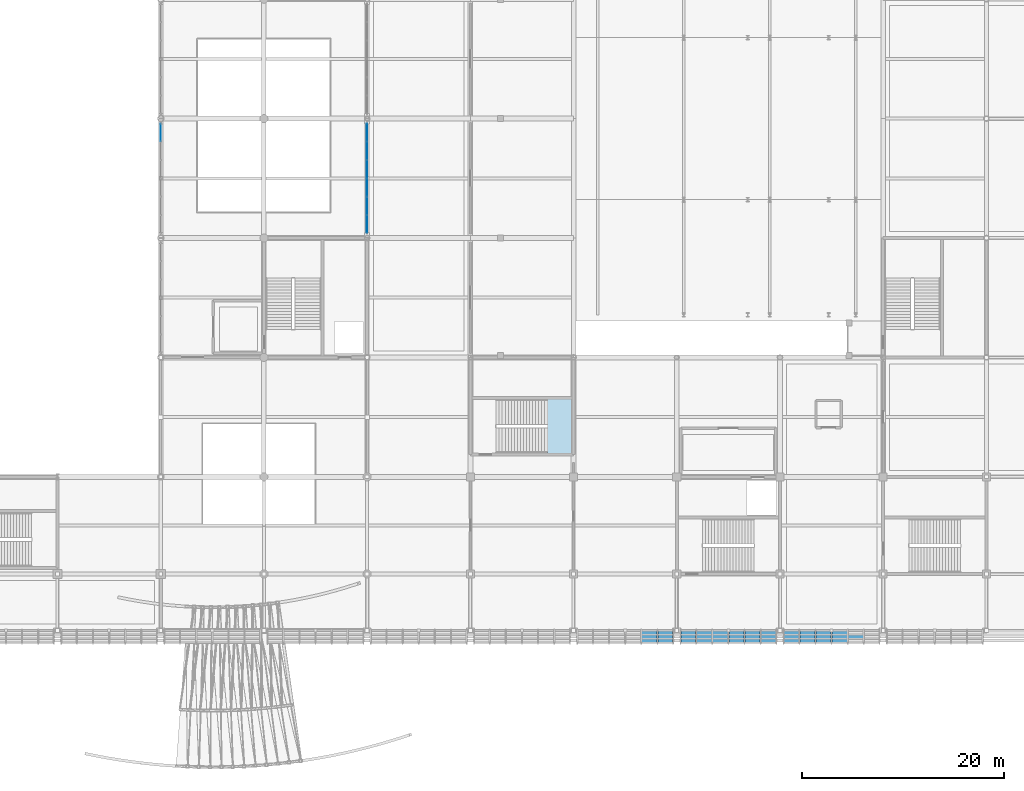
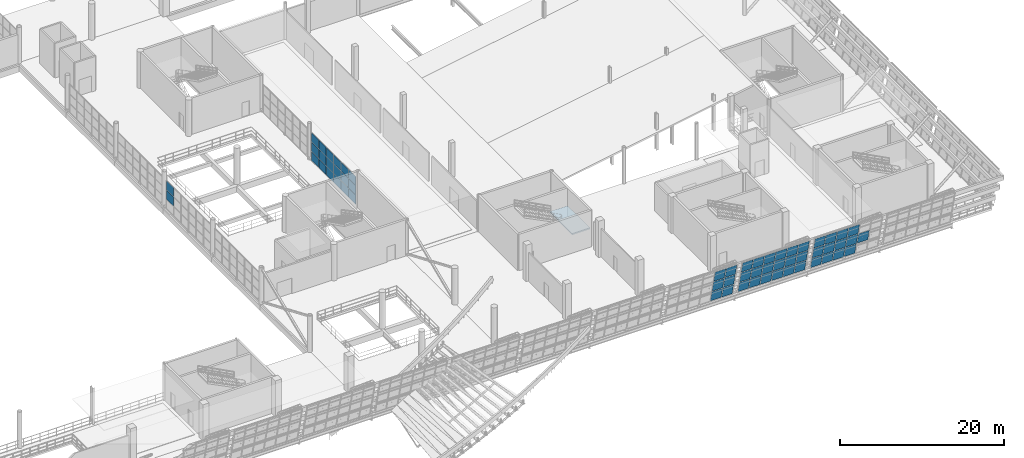
# One storey, part 114 of 175: 57 plates, 1 slab, 6 elements without a shape of their own.
"""IFC4 building model written with IfcOpenShell, lengths in metres."""

import ifcopenshell
import ifcopenshell.guid

model = None  # the IFC model being written
_history = None  # IfcOwnerHistory: only IFC2X3 demands one
_inside = {}  # id of a spatial element -> (the spatial element, [elements in it])
_under = {}  # id of a project, library or spatial element -> (it, [spatial elements below it])
_declared = {}  # id of a project -> (the project, [libraries it declares])
_typed = {}  # id of a type object -> (the type object, [elements of that type])
_made_of = {}  # id of a material, layer set ... -> (it, [elements and type objects made of it])


def new_model(schema):
    """Start an empty IFC model of exactly this schema.

    Asked for "IFC4X3", IfcOpenShell would pick the latest addendum, in which some entities
    have other attributes; the version numbers below select the first issue.
    IFC2X3 requires an IfcOwnerHistory on every rooted entity: one is made here for all.
    """
    global model, _history
    if schema == "IFC4X3":
        model = ifcopenshell.file(schema_version=(4, 3, 0, 0))
    else:
        model = ifcopenshell.file(schema=schema)
    _inside.clear()
    _under.clear()
    _declared.clear()
    _typed.clear()
    _made_of.clear()
    _history = None
    if model.schema == "IFC2X3":
        org = make("IfcOrganization", Name="unknown")
        user = make(
            "IfcPersonAndOrganization",
            ThePerson=make("IfcPerson", FamilyName="unknown"),
            TheOrganization=org,
        )
        app = make(
            "IfcApplication",
            ApplicationDeveloper=org,
            Version="unknown",
            ApplicationFullName="unknown",
            ApplicationIdentifier="unknown",
        )
        _history = make(
            "IfcOwnerHistory",
            OwningUser=user,
            OwningApplication=app,
            ChangeAction="ADDED",
            CreationDate=0,
        )
    return model


def make(cls, **values):
    """One entity of the class cls with the attributes given. An attribute that is None is left unset."""
    return model.create_entity(
        cls, **{name: value for name, value in values.items() if value is not None}
    )


def rooted(cls, **values):
    """An entity with a GlobalId (a new one), such as an element, a storey or a relation."""
    return make(cls, GlobalId=ifcopenshell.guid.new(), OwnerHistory=_history, **values)


def si_unit(unit_type, name, prefix=None):
    """IfcSIUnit, for example si_unit("LENGTHUNIT", "METRE", prefix="MILLI")."""
    return make("IfcSIUnit", UnitType=unit_type, Prefix=prefix, Name=name)


def assignment(units):
    """IfcUnitAssignment: the units of a project."""
    return None if units is None else make("IfcUnitAssignment", Units=units)


def point(xyz):
    """IfcCartesianPoint."""
    return None if xyz is None else make("IfcCartesianPoint", Coordinates=xyz)


def direction(xyz):
    """IfcDirection."""
    return None if xyz is None else make("IfcDirection", DirectionRatios=xyz)


def frame(location, z_axis=None, x_axis=None):
    """IfcAxis2Placement3D, a coordinate frame: its origin and axes. An axis left out is left unset."""
    return make(
        "IfcAxis2Placement3D",
        Location=point(location),
        Axis=direction(z_axis),
        RefDirection=direction(x_axis),
    )


def frame_2d(location, x_axis=None):
    """IfcAxis2Placement2D, a coordinate frame in the plane: its origin and x axis."""
    return make(
        "IfcAxis2Placement2D", Location=point(location), RefDirection=direction(x_axis)
    )


def origin():
    """The frame at (0, 0, 0) with its axes left unset."""
    return frame((0.0, 0.0, 0.0))


def origin_2d():
    """The frame at (0, 0) in the plane with its x axis left unset."""
    return frame_2d((0.0, 0.0))


def place(relative_to, where):
    """IfcLocalPlacement: puts the frame where relative to a parent placement (None: the world)."""
    return make(
        "IfcLocalPlacement", PlacementRelTo=relative_to, RelativePlacement=where
    )


def context(
    kind, dimensions, precision=None, world=None, true_north=None, identifier=None
):
    """IfcGeometricRepresentationContext, for example the 3D "Model" context."""
    return make(
        "IfcGeometricRepresentationContext",
        ContextIdentifier=identifier,
        ContextType=kind,
        CoordinateSpaceDimension=dimensions,
        Precision=precision,
        WorldCoordinateSystem=world,
        TrueNorth=true_north,
    )


def subcontext(parent, identifier, kind, view, scale=None):
    """IfcGeometricRepresentationSubContext, for example "Body" below "Model"."""
    return make(
        "IfcGeometricRepresentationSubContext",
        ContextIdentifier=identifier,
        ContextType=kind,
        ParentContext=parent,
        TargetScale=scale,
        TargetView=view,
    )


def project(units=None, contexts=None):
    """IfcProject with its units and contexts."""
    return rooted(
        "IfcProject",
        Name="project",
        RepresentationContexts=contexts,
        UnitsInContext=assignment(units),
    )


def spatial(cls, under=None, at=None, **own):
    """A site, building, storey or space (cls), placed at a placement, below another one or the project."""
    s = rooted(cls, ObjectPlacement=at, **own)
    if under is not None:
        _under.setdefault(under.id(), (under, []))[1].append(s)
    return s


def polyline(points):
    """IfcPolyline through the points."""
    return make("IfcPolyline", Points=[point(p) for p in points])


def profile(cls, at=None, kind="AREA", **sizes):
    """A parametric profile (cls). Its sizes go by their IFC names, for example OverallWidth=200.0."""
    return make(cls, ProfileType=kind, Position=at, **sizes)


def rectangle(**sizes):
    """IfcRectangleProfileDef."""
    return profile("IfcRectangleProfileDef", **sizes)


def outline(outer, holes=None, kind="AREA"):
    """IfcArbitraryClosedProfileDef: a profile drawn as a closed curve; with holes, ...WithVoids."""
    if holes is None:
        return make("IfcArbitraryClosedProfileDef", ProfileType=kind, OuterCurve=outer)
    return make(
        "IfcArbitraryProfileDefWithVoids",
        ProfileType=kind,
        OuterCurve=outer,
        InnerCurves=holes,
    )


def extrude(swept, where, along, depth):
    """IfcExtrudedAreaSolid: the profile swept, set in the frame where, extruded along a direction by depth."""
    return make(
        "IfcExtrudedAreaSolid",
        SweptArea=swept,
        Position=where,
        ExtrudedDirection=direction(along),
        Depth=depth,
    )


def shape(context_of_items, identifier, shape_type, items):
    """IfcShapeRepresentation: the items that make up one representation, for example the "Body"."""
    return make(
        "IfcShapeRepresentation",
        ContextOfItems=context_of_items,
        RepresentationIdentifier=identifier,
        RepresentationType=shape_type,
        Items=items,
    )


def material(Name=None, Category=None):
    """IfcMaterial."""
    return make("IfcMaterial", Name=Name, Category=Category)


def layer(
    of_material, thickness, ventilated=None, Name=None, Category=None, Priority=None
):
    """IfcMaterialLayer: one layer of a wall or slab, of a material (None: an air gap)."""
    return make(
        "IfcMaterialLayer",
        Material=of_material,
        LayerThickness=thickness,
        IsVentilated=ventilated,
        Name=Name,
        Category=Category,
        Priority=Priority,
    )


def layer_set(layers, Name=None):
    """IfcMaterialLayerSet."""
    return make("IfcMaterialLayerSet", MaterialLayers=layers, LayerSetName=Name)


def made_of(thing, what):
    """Note that an element or type object is made of a material, layer set ...; save() writes the relation."""
    if what is not None:
        _made_of.setdefault(what.id(), (what, []))[1].append(thing)
    return thing


def type_object(cls, material=None, **own):
    """A type object (cls), such as IfcWallType, which elements share."""
    return made_of(rooted(cls, **own), material)


def element(
    cls,
    number,
    at=None,
    inside=None,
    cuts=None,
    type_object=None,
    material=None,
    context=None,
    identifier="Body",
    shape_type=None,
    held_by="IfcProductDefinitionShape",
    body=None,
    shapes=None,
    **own,
):
    """One element of the class cls, such as IfcWall. Its Tag is "e" and its number.

    at: its placement. inside: the storey or other place that contains it. cuts: it is an
    opening in that element (IfcRelVoidsElement). A single representation is given by context,
    identifier, shape_type and body (its items); several are given by shapes. held_by: the class
    of the entity that holds the representations. save() writes the other relations.
    """
    e = rooted(cls, Tag="e%d" % number, ObjectPlacement=at, **own)
    if body is not None:
        shapes = [shape(context, identifier, shape_type, body)]
    if shapes is not None:
        e.Representation = make(held_by, Representations=shapes)
    if inside is not None:
        _inside.setdefault(inside.id(), (inside, []))[1].append(e)
    if cuts is not None:
        rooted(
            "IfcRelVoidsElement", RelatingBuildingElement=cuts, RelatedOpeningElement=e
        )
    if type_object is not None:
        _typed.setdefault(type_object.id(), (type_object, []))[1].append(e)
    return made_of(e, material)


def aggregate(whole, parts):
    """IfcRelAggregates: a whole, such as a stair, and the parts it consists of."""
    return rooted("IfcRelAggregates", RelatingObject=whole, RelatedObjects=parts)


def save(model, path):
    """Write the relations noted so far, then the file.

    IfcRelAggregates (storeys below a building ...), IfcRelContainedInSpatialStructure (elements
    in a storey), IfcRelDefinesByType, IfcRelAssociatesMaterial and IfcRelDeclares: one each for
    every whole, place, type object, material and project.
    """
    for whole, parts in _under.values():
        aggregate(whole, parts)
    for where, things in _inside.values():
        rooted(
            "IfcRelContainedInSpatialStructure",
            RelatedElements=things,
            RelatingStructure=where,
        )
    for kind, things in _typed.values():
        rooted("IfcRelDefinesByType", RelatedObjects=things, RelatingType=kind)
    for what, things in _made_of.values():
        rooted("IfcRelAssociatesMaterial", RelatedObjects=things, RelatingMaterial=what)
    for by, libraries in _declared.values():
        rooted("IfcRelDeclares", RelatingContext=by, RelatedDefinitions=libraries)
    model.write(path)


model = new_model("IFC4")

# Units and contexts
model_context = context("Model", 3, precision=1e-05, world=origin(), true_north=direction((0.0, 1.0)))
body_context = subcontext(model_context, "Body", "Model", "MODEL_VIEW")
ifc_project = project(units=[si_unit("LENGTHUNIT", "METRE"), si_unit("AREAUNIT", "SQUARE_METRE"), si_unit("VOLUMEUNIT", "CUBIC_METRE"), si_unit("PLANEANGLEUNIT", "RADIAN"), si_unit("MASSUNIT", "GRAM", prefix="KILO")], contexts=[model_context])

# Site, building, storey
site_placement = place(None, origin())
site = spatial("IfcSite", under=ifc_project, at=site_placement, CompositionType="ELEMENT")
building_placement = place(site_placement, origin())
building = spatial("IfcBuilding", under=site, at=building_placement, Name="Brelvane Convention Centre", CompositionType="ELEMENT")
storey_placement = place(building_placement, frame((0.0, 0.0, 5.39990234375)))
storey = spatial("IfcBuildingStorey", under=building, at=storey_placement, Name="L01", CompositionType="ELEMENT", Elevation=5.39990234375)

# Curtain wall, plates
ifc_material_1 = material(Name="Anodised Aluminium Alloy 6063-T6", Category="aluminium")
curtain_wall_type_1 = type_object("IfcCurtainWallType", Name="Curtain Wall CW-HULL-S", PredefinedType="USERDEFINED", material=ifc_material_1)
curtain_wall_1_placement = place(storey_placement, origin())
curtain_wall_1 = element("IfcCurtainWall", 1, at=curtain_wall_1_placement, inside=storey, type_object=curtain_wall_type_1, Name="Curtain Wall CW-HULL-S L01-HULL-S-L01-19", ObjectType="UNITISED", PredefinedType="USERDEFINED")
ifc_material_2 = material(Name="Double Glazed Low-E Laminated Unit")
ifc_layer_1 = layer(ifc_material_2, 0.031982421875)
ifc_layer_set_1 = layer_set([ifc_layer_1], Name="Double Glazed Low-E Laminated Unit")
plate_type_1 = type_object("IfcPlateType", Name="Curtain Panel CW-PG1", PredefinedType="CURTAIN_PANEL", material=ifc_layer_set_1)
plate_1_placement = place(storey_placement, frame((190.333251953125, 13.18798828125, 1.7568359375), z_axis=(0.0, 0.973584535906, 0.228326852222), x_axis=(1.0, 0.0, 0.0)))
plate_1 = element("IfcPlate", 2, at=plate_1_placement, type_object=plate_type_1, Name="CW-HULL-S panel 5.2", PredefinedType="CURTAIN_PANEL", context=body_context, shape_type="SweptSolid", body=[
    extrude(outline(polyline([(0.0, 0.0), (1.513427734375, 0.0), (1.513427734375, -1.680875721647406), (0.0, -1.680875721647406), (0.0, 0.0)])), origin(), (0.0, 0.0, -1.0), 0.031982421875),
])
plate_2_placement = place(storey_placement, frame((190.333251953125, 12.785400390625, 3.473388671875), z_axis=(0.0, 0.973577021422, 0.228358891569), x_axis=(1.0, 0.0, 0.0)))
plate_2 = element("IfcPlate", 3, at=plate_2_placement, type_object=plate_type_1, Name="CW-HULL-S panel 5.3", PredefinedType="CURTAIN_PANEL", context=body_context, shape_type="SweptSolid", body=[
    extrude(outline(polyline([(0.0, 0.0), (1.513427734375, 0.0), (1.513427734375, -1.6400137352949753), (0.0, -1.6400137352949753), (0.0, 0.0)])), origin(), (0.0, 0.0, -1.0), 0.031982421875),
])
plate_3_placement = place(storey_placement, frame((191.9267578125, 13.18798828125, 1.7568359375), z_axis=(0.0, 0.973584535906, 0.228326852222), x_axis=(1.0, 0.0, 0.0)))
plate_3 = element("IfcPlate", 4, at=plate_3_placement, type_object=plate_type_1, Name="CW-HULL-S panel 6.2", PredefinedType="CURTAIN_PANEL", context=body_context, shape_type="SweptSolid", body=[
    extrude(outline(polyline([(0.0, 0.0), (1.47314453125, 0.0), (1.47314453125, -1.680875721647406), (0.0, -1.680875721647406), (0.0, 0.0)])), origin(), (0.0, 0.0, -1.0), 0.031982421875),
])
plate_4_placement = place(storey_placement, frame((191.9267578125, 12.785400390625, 3.473388671875), z_axis=(0.0, 0.973577021422, 0.228358891569), x_axis=(1.0, 0.0, 0.0)))
plate_4 = element("IfcPlate", 5, at=plate_4_placement, type_object=plate_type_1, Name="CW-HULL-S panel 6.3", PredefinedType="CURTAIN_PANEL", context=body_context, shape_type="SweptSolid", body=[
    extrude(outline(polyline([(0.0, 0.0), (1.47314453125, 0.0), (1.47314453125, -1.6400137352949753), (0.0, -1.6400137352949753), (0.0, 0.0)])), origin(), (0.0, 0.0, -1.0), 0.031982421875),
])

curtain_wall_2_placement = place(storey_placement, origin())
curtain_wall_2 = element("IfcCurtainWall", 6, at=curtain_wall_2_placement, inside=storey, type_object=curtain_wall_type_1, Name="Curtain Wall CW-HULL-S L01-HULL-S-L01-20", ObjectType="UNITISED", PredefinedType="USERDEFINED")
plate_5_placement = place(storey_placement, frame((194.199951171875, 13.18798828125, 1.7568359375), z_axis=(0.0, 0.973584535906, 0.228326852222), x_axis=(1.0, 0.0, 0.0)))
plate_5 = element("IfcPlate", 7, at=plate_5_placement, type_object=plate_type_1, Name="CW-HULL-S panel 1.2", PredefinedType="CURTAIN_PANEL", context=body_context, shape_type="SweptSolid", body=[
    extrude(outline(polyline([(0.0, 0.0), (1.473388671875, 0.0), (1.473388671875, -1.680875721647406), (0.0, -1.680875721647406), (0.0, 0.0)])), origin(), (0.0, 0.0, -1.0), 0.031982421875),
])
plate_6_placement = place(storey_placement, frame((194.199951171875, 12.785400390625, 3.473388671875), z_axis=(0.0, 0.973577021422, 0.228358891569), x_axis=(1.0, 0.0, 0.0)))
plate_6 = element("IfcPlate", 8, at=plate_6_placement, type_object=plate_type_1, Name="CW-HULL-S panel 1.3", PredefinedType="CURTAIN_PANEL", context=body_context, shape_type="SweptSolid", body=[
    extrude(outline(polyline([(0.0, 0.0), (1.473388671875, 0.0), (1.473388671875, -1.640013735294975), (0.0, -1.640013735294975), (0.0, 0.0)])), origin(), (0.0, 0.0, -1.0), 0.031982421875),
])
plate_7_placement = place(storey_placement, frame((195.75341796875, 13.18798828125, 1.7568359375), z_axis=(0.0, 0.973584535906, 0.228326852222), x_axis=(1.0, 0.0, 0.0)))
plate_7 = element("IfcPlate", 9, at=plate_7_placement, type_object=plate_type_1, Name="CW-HULL-S panel 2.2", PredefinedType="CURTAIN_PANEL", context=body_context, shape_type="SweptSolid", body=[
    extrude(outline(polyline([(0.0, 0.0), (1.51318359375, 0.0), (1.51318359375, -1.680875721647406), (0.0, -1.680875721647406), (0.0, 0.0)])), origin(), (0.0, 0.0, -1.0), 0.031982421875),
])
plate_8_placement = place(storey_placement, frame((195.75341796875, 12.785400390625, 3.473388671875), z_axis=(0.0, 0.973577021422, 0.228358891569), x_axis=(1.0, 0.0, 0.0)))
plate_8 = element("IfcPlate", 10, at=plate_8_placement, type_object=plate_type_1, Name="CW-HULL-S panel 2.3", PredefinedType="CURTAIN_PANEL", context=body_context, shape_type="SweptSolid", body=[
    extrude(outline(polyline([(0.0, 0.0), (1.51318359375, 0.0), (1.51318359375, -1.640013735294975), (0.0, -1.640013735294975), (0.0, 0.0)])), origin(), (0.0, 0.0, -1.0), 0.031982421875),
])
plate_9_placement = place(storey_placement, frame((197.3466796875, 13.18798828125, 1.7568359375), z_axis=(0.0, 0.973584535906, 0.228326852222), x_axis=(1.0, 0.0, 0.0)))
plate_9 = element("IfcPlate", 11, at=plate_9_placement, type_object=plate_type_1, Name="CW-HULL-S panel 3.2", PredefinedType="CURTAIN_PANEL", context=body_context, shape_type="SweptSolid", body=[
    extrude(outline(polyline([(0.0, 0.0), (1.513427734375, 0.0), (1.513427734375, -1.680875721647406), (0.0, -1.680875721647406), (0.0, 0.0)])), origin(), (0.0, 0.0, -1.0), 0.031982421875),
])
plate_10_placement = place(storey_placement, frame((197.3466796875, 12.785400390625, 3.473388671875), z_axis=(0.0, 0.973577021422, 0.228358891569), x_axis=(1.0, 0.0, 0.0)))
plate_10 = element("IfcPlate", 12, at=plate_10_placement, type_object=plate_type_1, Name="CW-HULL-S panel 3.3", PredefinedType="CURTAIN_PANEL", context=body_context, shape_type="SweptSolid", body=[
    extrude(outline(polyline([(0.0, 0.0), (1.513427734375, 0.0), (1.513427734375, -1.6400137352949753), (0.0, -1.6400137352949753), (0.0, 0.0)])), origin(), (0.0, 0.0, -1.0), 0.031982421875),
])
plate_11_placement = place(storey_placement, frame((198.93994140625, 13.18798828125, 1.7568359375), z_axis=(0.0, 0.973584535906, 0.228326852222), x_axis=(1.0, 0.0, 0.0)))
plate_11 = element("IfcPlate", 13, at=plate_11_placement, type_object=plate_type_1, Name="CW-HULL-S panel 4.2", PredefinedType="CURTAIN_PANEL", context=body_context, shape_type="SweptSolid", body=[
    extrude(outline(polyline([(0.0, 0.0), (1.513427734375, 0.0), (1.513427734375, -1.680875721647406), (0.0, -1.680875721647406), (0.0, 0.0)])), origin(), (0.0, 0.0, -1.0), 0.031982421875),
])
plate_12_placement = place(storey_placement, frame((198.93994140625, 12.785400390625, 3.473388671875), z_axis=(0.0, 0.973577021422, 0.228358891569), x_axis=(1.0, 0.0, 0.0)))
plate_12 = element("IfcPlate", 14, at=plate_12_placement, type_object=plate_type_1, Name="CW-HULL-S panel 4.3", PredefinedType="CURTAIN_PANEL", context=body_context, shape_type="SweptSolid", body=[
    extrude(outline(polyline([(0.0, 0.0), (1.513427734375, 0.0), (1.513427734375, -1.6400137352949753), (0.0, -1.6400137352949753), (0.0, 0.0)])), origin(), (0.0, 0.0, -1.0), 0.031982421875),
])
plate_13_placement = place(storey_placement, frame((200.533447265625, 13.18798828125, 1.7568359375), z_axis=(0.0, 0.973584535906, 0.228326852222), x_axis=(1.0, 0.0, 0.0)))
plate_13 = element("IfcPlate", 15, at=plate_13_placement, type_object=plate_type_1, Name="CW-HULL-S panel 5.2", PredefinedType="CURTAIN_PANEL", context=body_context, shape_type="SweptSolid", body=[
    extrude(outline(polyline([(0.0, 0.0), (1.51318359375, 0.0), (1.51318359375, -1.680875721647406), (0.0, -1.680875721647406), (0.0, 0.0)])), origin(), (0.0, 0.0, -1.0), 0.031982421875),
])
plate_14_placement = place(storey_placement, frame((200.533447265625, 12.785400390625, 3.473388671875), z_axis=(0.0, 0.973577021422, 0.228358891569), x_axis=(1.0, 0.0, 0.0)))
plate_14 = element("IfcPlate", 16, at=plate_14_placement, type_object=plate_type_1, Name="CW-HULL-S panel 5.3", PredefinedType="CURTAIN_PANEL", context=body_context, shape_type="SweptSolid", body=[
    extrude(outline(polyline([(0.0, 0.0), (1.51318359375, 0.0), (1.51318359375, -1.640013735294975), (0.0, -1.640013735294975), (0.0, 0.0)])), origin(), (0.0, 0.0, -1.0), 0.031982421875),
])
plate_15_placement = place(storey_placement, frame((202.126708984375, 13.18798828125, 1.7568359375), z_axis=(0.0, 0.973584535906, 0.228326852222), x_axis=(1.0, 0.0, 0.0)))
plate_15 = element("IfcPlate", 17, at=plate_15_placement, type_object=plate_type_1, Name="CW-HULL-S panel 6.2", PredefinedType="CURTAIN_PANEL", context=body_context, shape_type="SweptSolid", body=[
    extrude(outline(polyline([(0.0, 0.0), (1.473388671875, 0.0), (1.473388671875, -1.680875721647406), (0.0, -1.680875721647406), (0.0, 0.0)])), origin(), (0.0, 0.0, -1.0), 0.031982421875),
])
plate_16_placement = place(storey_placement, frame((202.126708984375, 12.785400390625, 3.473388671875), z_axis=(0.0, 0.973577021422, 0.228358891569), x_axis=(1.0, 0.0, 0.0)))
plate_16 = element("IfcPlate", 18, at=plate_16_placement, type_object=plate_type_1, Name="CW-HULL-S panel 6.3", PredefinedType="CURTAIN_PANEL", context=body_context, shape_type="SweptSolid", body=[
    extrude(outline(polyline([(0.0, 0.0), (1.473388671875, 0.0), (1.473388671875, -1.640013735294975), (0.0, -1.640013735294975), (0.0, 0.0)])), origin(), (0.0, 0.0, -1.0), 0.031982421875),
])

curtain_wall_3_placement = place(storey_placement, origin())
curtain_wall_3 = element("IfcCurtainWall", 19, at=curtain_wall_3_placement, inside=storey, type_object=curtain_wall_type_1, Name="Curtain Wall CW-HULL-S L01-HULL-S-L01-21", ObjectType="UNITISED", PredefinedType="USERDEFINED")
plate_17_placement = place(storey_placement, frame((204.39990234375, 13.18798828125, 1.7568359375), z_axis=(0.0, 0.973584535906, 0.228326852222), x_axis=(1.0, 0.0, 0.0)))
plate_17 = element("IfcPlate", 20, at=plate_17_placement, type_object=plate_type_1, Name="CW-HULL-S panel 1.2", PredefinedType="CURTAIN_PANEL", context=body_context, shape_type="SweptSolid", body=[
    extrude(outline(polyline([(0.0, 0.0), (1.473388671875, 0.0), (1.473388671875, -1.680875721647406), (0.0, -1.680875721647406), (0.0, 0.0)])), origin(), (0.0, 0.0, -1.0), 0.031982421875),
])
plate_18_placement = place(storey_placement, frame((204.39990234375, 12.785400390625, 3.473388671875), z_axis=(0.0, 0.973577021422, 0.228358891569), x_axis=(1.0, 0.0, 0.0)))
plate_18 = element("IfcPlate", 21, at=plate_18_placement, type_object=plate_type_1, Name="CW-HULL-S panel 1.3", PredefinedType="CURTAIN_PANEL", context=body_context, shape_type="SweptSolid", body=[
    extrude(outline(polyline([(0.0, 0.0), (1.473388671875, 0.0), (1.473388671875, -1.640013735294975), (0.0, -1.640013735294975), (0.0, 0.0)])), origin(), (0.0, 0.0, -1.0), 0.031982421875),
])
plate_19_placement = place(storey_placement, frame((205.953369140625, 13.18798828125, 1.7568359375), z_axis=(0.0, 0.973584535906, 0.228326852222), x_axis=(1.0, 0.0, 0.0)))
plate_19 = element("IfcPlate", 22, at=plate_19_placement, type_object=plate_type_1, Name="CW-HULL-S panel 2.2", PredefinedType="CURTAIN_PANEL", context=body_context, shape_type="SweptSolid", body=[
    extrude(outline(polyline([(0.0, 0.0), (1.51318359375, 0.0), (1.51318359375, -1.680875721647406), (0.0, -1.680875721647406), (0.0, 0.0)])), origin(), (0.0, 0.0, -1.0), 0.031982421875),
])
plate_20_placement = place(storey_placement, frame((205.953369140625, 12.785400390625, 3.473388671875), z_axis=(0.0, 0.973577021422, 0.228358891569), x_axis=(1.0, 0.0, 0.0)))
plate_20 = element("IfcPlate", 23, at=plate_20_placement, type_object=plate_type_1, Name="CW-HULL-S panel 2.3", PredefinedType="CURTAIN_PANEL", context=body_context, shape_type="SweptSolid", body=[
    extrude(outline(polyline([(0.0, 0.0), (1.51318359375, 0.0), (1.51318359375, -1.640013735294975), (0.0, -1.640013735294975), (0.0, 0.0)])), origin(), (0.0, 0.0, -1.0), 0.031982421875),
])
plate_21_placement = place(storey_placement, frame((207.546630859375, 13.18798828125, 1.7568359375), z_axis=(0.0, 0.973584535906, 0.228326852222), x_axis=(1.0, 0.0, 0.0)))
plate_21 = element("IfcPlate", 24, at=plate_21_placement, type_object=plate_type_1, Name="CW-HULL-S panel 3.2", PredefinedType="CURTAIN_PANEL", context=body_context, shape_type="SweptSolid", body=[
    extrude(outline(polyline([(0.0, 0.0), (1.513427734375, 0.0), (1.513427734375, -1.680875721647406), (0.0, -1.680875721647406), (0.0, 0.0)])), origin(), (0.0, 0.0, -1.0), 0.031982421875),
])
plate_22_placement = place(storey_placement, frame((207.546630859375, 12.785400390625, 3.473388671875), z_axis=(0.0, 0.973577021422, 0.228358891569), x_axis=(1.0, 0.0, 0.0)))
plate_22 = element("IfcPlate", 25, at=plate_22_placement, type_object=plate_type_1, Name="CW-HULL-S panel 3.3", PredefinedType="CURTAIN_PANEL", context=body_context, shape_type="SweptSolid", body=[
    extrude(outline(polyline([(0.0, 0.0), (1.513427734375, 0.0), (1.513427734375, -1.6400137352949753), (0.0, -1.6400137352949753), (0.0, 0.0)])), origin(), (0.0, 0.0, -1.0), 0.031982421875),
])
plate_23_placement = place(storey_placement, frame((209.139892578125, 13.18798828125, 1.7568359375), z_axis=(0.0, 0.973584535906, 0.228326852222), x_axis=(1.0, 0.0, 0.0)))
plate_23 = element("IfcPlate", 26, at=plate_23_placement, type_object=plate_type_1, Name="CW-HULL-S panel 4.2", PredefinedType="CURTAIN_PANEL", context=body_context, shape_type="SweptSolid", body=[
    extrude(outline(polyline([(0.0, 0.0), (1.513427734375, 0.0), (1.513427734375, -1.680875721647406), (0.0, -1.680875721647406), (0.0, 0.0)])), origin(), (0.0, 0.0, -1.0), 0.031982421875),
])
plate_24_placement = place(storey_placement, frame((209.139892578125, 12.785400390625, 3.473388671875), z_axis=(0.0, 0.973577021422, 0.228358891569), x_axis=(1.0, 0.0, 0.0)))
plate_24 = element("IfcPlate", 27, at=plate_24_placement, type_object=plate_type_1, Name="CW-HULL-S panel 4.3", PredefinedType="CURTAIN_PANEL", context=body_context, shape_type="SweptSolid", body=[
    extrude(outline(polyline([(0.0, 0.0), (1.513427734375, 0.0), (1.513427734375, -1.6400137352949753), (0.0, -1.6400137352949753), (0.0, 0.0)])), origin(), (0.0, 0.0, -1.0), 0.031982421875),
])
plate_25_placement = place(storey_placement, frame((210.7333984375, 13.18798828125, 1.7568359375), z_axis=(0.0, 0.973584535906, 0.228326852222), x_axis=(1.0, 0.0, 0.0)))
plate_25 = element("IfcPlate", 28, at=plate_25_placement, type_object=plate_type_1, Name="CW-HULL-S panel 5.2", PredefinedType="CURTAIN_PANEL", context=body_context, shape_type="SweptSolid", body=[
    extrude(outline(polyline([(0.0, 0.0), (1.51318359375, 0.0), (1.51318359375, -1.680875721647406), (0.0, -1.680875721647406), (0.0, 0.0)])), origin(), (0.0, 0.0, -1.0), 0.031982421875),
])

ifc_material_3 = material(Name="Anodised Aluminium Alloy 6063-T6", Category="aluminium")
curtain_wall_type_2 = type_object("IfcCurtainWallType", Name="Curtain Wall CW-CONC", PredefinedType="USERDEFINED", material=ifc_material_3)
curtain_wall_4_placement = place(storey_placement, origin())
curtain_wall_4 = element("IfcCurtainWall", 29, at=curtain_wall_4_placement, inside=storey, type_object=curtain_wall_type_2, Name="Curtain Wall CW-CONC L01-GAL-ATRIUM-W-2", ObjectType="UNITISED", PredefinedType="USERDEFINED")
plate_26_placement = place(storey_placement, frame((142.800048828125, 62.825439453125, 1.44677734375), z_axis=(0.0, 0.0, 1.0), x_axis=(0.0, 1.0, 0.0)))
plate_26 = element("IfcPlate", 30, at=plate_26_placement, type_object=plate_type_1, Name="CW-CONC panel 6.2", PredefinedType="CURTAIN_PANEL", context=body_context, shape_type="SweptSolid", body=[
    extrude(rectangle(XDim=1.71923828125, YDim=0.031982421875, at=origin_2d()), origin(), (0.0, 0.0, 1.0), 1.356689453125),
])
plate_27_placement = place(storey_placement, frame((142.800048828125, 62.825439453125, 2.863525390625), z_axis=(0.0, 0.0, 1.0), x_axis=(0.0, 1.0, 0.0)))
plate_27 = element("IfcPlate", 31, at=plate_27_placement, type_object=plate_type_1, Name="CW-CONC panel 6.3", PredefinedType="CURTAIN_PANEL", context=body_context, shape_type="SweptSolid", body=[
    extrude(rectangle(XDim=1.71923828125, YDim=0.031982421875, at=origin_2d()), origin(), (0.0, 0.0, 1.0), 1.32666015625),
])
aggregate(curtain_wall_4, [plate_26, plate_27])

curtain_wall_5_placement = place(storey_placement, origin())
curtain_wall_5 = element("IfcCurtainWall", 32, at=curtain_wall_5_placement, inside=storey, type_object=curtain_wall_type_2, Name="Curtain Wall CW-CONC L01-GAL-ATRIUM-E-2", ObjectType="UNITISED", PredefinedType="USERDEFINED")
ifc_material_4 = material(Name="Double Glazed Low-E Laminated Unit")
ifc_layer_2 = layer(ifc_material_4, 0.0380859375)
ifc_layer_set_2 = layer_set([ifc_layer_2], Name="Double Glazed Low-E Laminated Unit")
plate_type_2 = type_object("IfcPlateType", Name="Curtain Panel CW-PG2", PredefinedType="CURTAIN_PANEL", material=ifc_layer_set_2)
plate_28_placement = place(storey_placement, frame((163.199951171875, 53.774658203125, 0.06005859375), z_axis=(0.0, 0.0, 1.0), x_axis=(0.0, 1.0, 0.0)))
plate_28 = element("IfcPlate", 33, at=plate_28_placement, type_object=plate_type_2, Name="CW-CONC panel 1.1", PredefinedType="CURTAIN_PANEL", context=body_context, shape_type="SweptSolid", body=[
    extrude(rectangle(XDim=1.71923828125, YDim=0.0380859375, at=origin_2d()), origin(), (0.0, 0.0, 1.0), 1.32666015625),
])
plate_29_placement = place(storey_placement, frame((163.199951171875, 53.774658203125, 1.44677734375), z_axis=(0.0, 0.0, 1.0), x_axis=(0.0, 1.0, 0.0)))
plate_29 = element("IfcPlate", 34, at=plate_29_placement, type_object=plate_type_2, Name="CW-CONC panel 1.2", PredefinedType="CURTAIN_PANEL", context=body_context, shape_type="SweptSolid", body=[
    extrude(rectangle(XDim=1.71923828125, YDim=0.0380859375, at=origin_2d()), origin(), (0.0, 0.0, 1.0), 1.356689453125),
])
plate_30_placement = place(storey_placement, frame((163.199951171875, 53.774658203125, 2.863525390625), z_axis=(0.0, 0.0, 1.0), x_axis=(0.0, 1.0, 0.0)))
plate_30 = element("IfcPlate", 35, at=plate_30_placement, type_object=plate_type_2, Name="CW-CONC panel 1.3", PredefinedType="CURTAIN_PANEL", context=body_context, shape_type="SweptSolid", body=[
    extrude(rectangle(XDim=1.71923828125, YDim=0.0380859375, at=origin_2d()), origin(), (0.0, 0.0, 1.0), 1.32666015625),
])
plate_31_placement = place(storey_placement, frame((163.199951171875, 55.574951171875, 0.06005859375), z_axis=(0.0, 0.0, 1.0), x_axis=(0.0, 1.0, 0.0)))
plate_31 = element("IfcPlate", 36, at=plate_31_placement, type_object=plate_type_2, Name="CW-CONC panel 2.1", PredefinedType="CURTAIN_PANEL", context=body_context, shape_type="SweptSolid", body=[
    extrude(rectangle(XDim=1.751708984375, YDim=0.0380859375, at=origin_2d()), origin(), (0.0, 0.0, 1.0), 1.32666015625),
])
plate_32_placement = place(storey_placement, frame((163.199951171875, 55.574951171875, 1.44677734375), z_axis=(0.0, 0.0, 1.0), x_axis=(0.0, 1.0, 0.0)))
plate_32 = element("IfcPlate", 37, at=plate_32_placement, type_object=plate_type_2, Name="CW-CONC panel 2.2", PredefinedType="CURTAIN_PANEL", context=body_context, shape_type="SweptSolid", body=[
    extrude(rectangle(XDim=1.751708984375, YDim=0.0380859375, at=origin_2d()), origin(), (0.0, 0.0, 1.0), 1.356689453125),
])
plate_33_placement = place(storey_placement, frame((163.199951171875, 55.574951171875, 2.863525390625), z_axis=(0.0, 0.0, 1.0), x_axis=(0.0, 1.0, 0.0)))
plate_33 = element("IfcPlate", 38, at=plate_33_placement, type_object=plate_type_2, Name="CW-CONC panel 2.3", PredefinedType="CURTAIN_PANEL", context=body_context, shape_type="SweptSolid", body=[
    extrude(rectangle(XDim=1.751708984375, YDim=0.0380859375, at=origin_2d()), origin(), (0.0, 0.0, 1.0), 1.32666015625),
])
plate_34_placement = place(storey_placement, frame((163.199951171875, 57.3916015625, 0.06005859375), z_axis=(0.0, 0.0, 1.0), x_axis=(0.0, 1.0, 0.0)))
plate_34 = element("IfcPlate", 39, at=plate_34_placement, type_object=plate_type_2, Name="CW-CONC panel 3.1", PredefinedType="CURTAIN_PANEL", context=body_context, shape_type="SweptSolid", body=[
    extrude(rectangle(XDim=1.751708984375, YDim=0.0380859375, at=origin_2d()), origin(), (0.0, 0.0, 1.0), 1.32666015625),
])
plate_35_placement = place(storey_placement, frame((163.199951171875, 57.3916015625, 1.44677734375), z_axis=(0.0, 0.0, 1.0), x_axis=(0.0, 1.0, 0.0)))
plate_35 = element("IfcPlate", 40, at=plate_35_placement, type_object=plate_type_2, Name="CW-CONC panel 3.2", PredefinedType="CURTAIN_PANEL", context=body_context, shape_type="SweptSolid", body=[
    extrude(rectangle(XDim=1.751708984375, YDim=0.0380859375, at=origin_2d()), origin(), (0.0, 0.0, 1.0), 1.356689453125),
])
plate_36_placement = place(storey_placement, frame((163.199951171875, 57.3916015625, 2.863525390625), z_axis=(0.0, 0.0, 1.0), x_axis=(0.0, 1.0, 0.0)))
plate_36 = element("IfcPlate", 41, at=plate_36_placement, type_object=plate_type_2, Name="CW-CONC panel 3.3", PredefinedType="CURTAIN_PANEL", context=body_context, shape_type="SweptSolid", body=[
    extrude(rectangle(XDim=1.751708984375, YDim=0.0380859375, at=origin_2d()), origin(), (0.0, 0.0, 1.0), 1.32666015625),
])
plate_37_placement = place(storey_placement, frame((163.199951171875, 59.208251953125, 0.06005859375), z_axis=(0.0, 0.0, 1.0), x_axis=(0.0, 1.0, 0.0)))
plate_37 = element("IfcPlate", 42, at=plate_37_placement, type_object=plate_type_2, Name="CW-CONC panel 4.1", PredefinedType="CURTAIN_PANEL", context=body_context, shape_type="SweptSolid", body=[
    extrude(rectangle(XDim=1.751708984375, YDim=0.0380859375, at=origin_2d()), origin(), (0.0, 0.0, 1.0), 1.32666015625),
])
plate_38_placement = place(storey_placement, frame((163.199951171875, 59.208251953125, 1.44677734375), z_axis=(0.0, 0.0, 1.0), x_axis=(0.0, 1.0, 0.0)))
plate_38 = element("IfcPlate", 43, at=plate_38_placement, type_object=plate_type_2, Name="CW-CONC panel 4.2", PredefinedType="CURTAIN_PANEL", context=body_context, shape_type="SweptSolid", body=[
    extrude(rectangle(XDim=1.751708984375, YDim=0.0380859375, at=origin_2d()), origin(), (0.0, 0.0, 1.0), 1.356689453125),
])
plate_39_placement = place(storey_placement, frame((163.199951171875, 59.208251953125, 2.863525390625), z_axis=(0.0, 0.0, 1.0), x_axis=(0.0, 1.0, 0.0)))
plate_39 = element("IfcPlate", 44, at=plate_39_placement, type_object=plate_type_2, Name="CW-CONC panel 4.3", PredefinedType="CURTAIN_PANEL", context=body_context, shape_type="SweptSolid", body=[
    extrude(rectangle(XDim=1.751708984375, YDim=0.0380859375, at=origin_2d()), origin(), (0.0, 0.0, 1.0), 1.32666015625),
])
plate_40_placement = place(storey_placement, frame((163.199951171875, 61.02490234375, 0.06005859375), z_axis=(0.0, 0.0, 1.0), x_axis=(0.0, 1.0, 0.0)))
plate_40 = element("IfcPlate", 45, at=plate_40_placement, type_object=plate_type_2, Name="CW-CONC panel 5.1", PredefinedType="CURTAIN_PANEL", context=body_context, shape_type="SweptSolid", body=[
    extrude(rectangle(XDim=1.751708984375, YDim=0.0380859375, at=origin_2d()), origin(), (0.0, 0.0, 1.0), 1.32666015625),
])
plate_41_placement = place(storey_placement, frame((163.199951171875, 61.02490234375, 1.44677734375), z_axis=(0.0, 0.0, 1.0), x_axis=(0.0, 1.0, 0.0)))
plate_41 = element("IfcPlate", 46, at=plate_41_placement, type_object=plate_type_2, Name="CW-CONC panel 5.2", PredefinedType="CURTAIN_PANEL", context=body_context, shape_type="SweptSolid", body=[
    extrude(rectangle(XDim=1.751708984375, YDim=0.0380859375, at=origin_2d()), origin(), (0.0, 0.0, 1.0), 1.356689453125),
])
plate_42_placement = place(storey_placement, frame((163.199951171875, 61.02490234375, 2.863525390625), z_axis=(0.0, 0.0, 1.0), x_axis=(0.0, 1.0, 0.0)))
plate_42 = element("IfcPlate", 47, at=plate_42_placement, type_object=plate_type_2, Name="CW-CONC panel 5.3", PredefinedType="CURTAIN_PANEL", context=body_context, shape_type="SweptSolid", body=[
    extrude(rectangle(XDim=1.751708984375, YDim=0.0380859375, at=origin_2d()), origin(), (0.0, 0.0, 1.0), 1.32666015625),
])
plate_43_placement = place(storey_placement, frame((163.199951171875, 62.825439453125, 0.06005859375), z_axis=(0.0, 0.0, 1.0), x_axis=(0.0, 1.0, 0.0)))
plate_43 = element("IfcPlate", 48, at=plate_43_placement, type_object=plate_type_2, Name="CW-CONC panel 6.1", PredefinedType="CURTAIN_PANEL", context=body_context, shape_type="SweptSolid", body=[
    extrude(rectangle(XDim=1.71923828125, YDim=0.0380859375, at=origin_2d()), origin(), (0.0, 0.0, 1.0), 1.32666015625),
])
plate_44_placement = place(storey_placement, frame((163.199951171875, 62.825439453125, 1.44677734375), z_axis=(0.0, 0.0, 1.0), x_axis=(0.0, 1.0, 0.0)))
plate_44 = element("IfcPlate", 49, at=plate_44_placement, type_object=plate_type_2, Name="CW-CONC panel 6.2", PredefinedType="CURTAIN_PANEL", context=body_context, shape_type="SweptSolid", body=[
    extrude(rectangle(XDim=1.71923828125, YDim=0.0380859375, at=origin_2d()), origin(), (0.0, 0.0, 1.0), 1.356689453125),
])
plate_45_placement = place(storey_placement, frame((163.199951171875, 62.825439453125, 2.863525390625), z_axis=(0.0, 0.0, 1.0), x_axis=(0.0, 1.0, 0.0)))
plate_45 = element("IfcPlate", 50, at=plate_45_placement, type_object=plate_type_2, Name="CW-CONC panel 6.3", PredefinedType="CURTAIN_PANEL", context=body_context, shape_type="SweptSolid", body=[
    extrude(rectangle(XDim=1.71923828125, YDim=0.0380859375, at=origin_2d()), origin(), (0.0, 0.0, 1.0), 1.32666015625),
])
aggregate(curtain_wall_5, [plate_28, plate_29, plate_30, plate_31, plate_32, plate_33, plate_34, plate_35, plate_36, plate_37, plate_38, plate_39, plate_40, plate_41, plate_42, plate_43, plate_44, plate_45])

# Plate
ifc_material_5 = material(Name="Patinated Copper-Bronze Alloy C22000")
ifc_layer_3 = layer(ifc_material_5, 0.048095703125)
ifc_layer_set_3 = layer_set([ifc_layer_3], Name="Patinated Copper-Bronze Alloy C22000")
plate_type_3 = type_object("IfcPlateType", Name="Curtain Panel CW-PS1", PredefinedType="CURTAIN_PANEL", material=ifc_layer_set_3)
plate_46_placement = place(storey_placement, frame((190.333251953125, 13.581298828125, 0.080078125), z_axis=(0.0, 0.973577021422, 0.228358891569), x_axis=(1.0, 0.0, 0.0)))
plate_46 = element("IfcPlate", 51, at=plate_46_placement, type_object=plate_type_3, Name="CW-HULL-S panel 5.1", PredefinedType="CURTAIN_PANEL", context=body_context, shape_type="SweptSolid", body=[
    extrude(outline(polyline([(0.0, 0.0), (1.513427734375, 0.0), (1.513427734375, -1.6400137352949753), (0.0, -1.6400137352949753), (0.0, 0.0)])), origin(), (0.0, 0.0, -1.0), 0.031982421875),
])

plate_47_placement = place(storey_placement, frame((191.9267578125, 13.581298828125, 0.080078125), z_axis=(0.0, 0.973577021422, 0.228358891569), x_axis=(1.0, 0.0, 0.0)))
plate_47 = element("IfcPlate", 52, at=plate_47_placement, type_object=plate_type_3, Name="CW-HULL-S panel 6.1", PredefinedType="CURTAIN_PANEL", context=body_context, shape_type="SweptSolid", body=[
    extrude(outline(polyline([(0.0, 0.0), (1.47314453125, 0.0), (1.47314453125, -1.6400137352949753), (0.0, -1.6400137352949753), (0.0, 0.0)])), origin(), (0.0, 0.0, -1.0), 0.031982421875),
])

aggregate(curtain_wall_1, [plate_46, plate_1, plate_2, plate_47, plate_3, plate_4])

plate_48_placement = place(storey_placement, frame((194.199951171875, 13.581298828125, 0.080078125), z_axis=(0.0, 0.973577021422, 0.228358891569), x_axis=(1.0, 0.0, 0.0)))
plate_48 = element("IfcPlate", 53, at=plate_48_placement, type_object=plate_type_3, Name="CW-HULL-S panel 1.1", PredefinedType="CURTAIN_PANEL", context=body_context, shape_type="SweptSolid", body=[
    extrude(outline(polyline([(0.0, 0.0), (1.473388671875, 0.0), (1.473388671875, -1.640013735294975), (0.0, -1.640013735294975), (0.0, 0.0)])), origin(), (0.0, 0.0, -1.0), 0.031982421875),
])

plate_49_placement = place(storey_placement, frame((195.75341796875, 13.581298828125, 0.080078125), z_axis=(0.0, 0.973577021422, 0.228358891569), x_axis=(1.0, 0.0, 0.0)))
plate_49 = element("IfcPlate", 54, at=plate_49_placement, type_object=plate_type_3, Name="CW-HULL-S panel 2.1", PredefinedType="CURTAIN_PANEL", context=body_context, shape_type="SweptSolid", body=[
    extrude(outline(polyline([(0.0, 0.0), (1.51318359375, 0.0), (1.51318359375, -1.640013735294975), (0.0, -1.640013735294975), (0.0, 0.0)])), origin(), (0.0, 0.0, -1.0), 0.031982421875),
])

plate_50_placement = place(storey_placement, frame((197.3466796875, 13.581298828125, 0.080078125), z_axis=(0.0, 0.973577021422, 0.228358891569), x_axis=(1.0, 0.0, 0.0)))
plate_50 = element("IfcPlate", 55, at=plate_50_placement, type_object=plate_type_3, Name="CW-HULL-S panel 3.1", PredefinedType="CURTAIN_PANEL", context=body_context, shape_type="SweptSolid", body=[
    extrude(outline(polyline([(0.0, 0.0), (1.513427734375, 0.0), (1.513427734375, -1.6400137352949753), (0.0, -1.6400137352949753), (0.0, 0.0)])), origin(), (0.0, 0.0, -1.0), 0.031982421875),
])

plate_51_placement = place(storey_placement, frame((198.93994140625, 13.581298828125, 0.080078125), z_axis=(0.0, 0.973577021422, 0.228358891569), x_axis=(1.0, 0.0, 0.0)))
plate_51 = element("IfcPlate", 56, at=plate_51_placement, type_object=plate_type_3, Name="CW-HULL-S panel 4.1", PredefinedType="CURTAIN_PANEL", context=body_context, shape_type="SweptSolid", body=[
    extrude(outline(polyline([(0.0, 0.0), (1.513427734375, 0.0), (1.513427734375, -1.6400137352949753), (0.0, -1.6400137352949753), (0.0, 0.0)])), origin(), (0.0, 0.0, -1.0), 0.031982421875),
])

plate_52_placement = place(storey_placement, frame((200.533447265625, 13.581298828125, 0.080078125), z_axis=(0.0, 0.973577021422, 0.228358891569), x_axis=(1.0, 0.0, 0.0)))
plate_52 = element("IfcPlate", 57, at=plate_52_placement, type_object=plate_type_3, Name="CW-HULL-S panel 5.1", PredefinedType="CURTAIN_PANEL", context=body_context, shape_type="SweptSolid", body=[
    extrude(outline(polyline([(0.0, 0.0), (1.51318359375, 0.0), (1.51318359375, -1.640013735294975), (0.0, -1.640013735294975), (0.0, 0.0)])), origin(), (0.0, 0.0, -1.0), 0.031982421875),
])

plate_53_placement = place(storey_placement, frame((202.126708984375, 13.581298828125, 0.080078125), z_axis=(0.0, 0.973577021422, 0.228358891569), x_axis=(1.0, 0.0, 0.0)))
plate_53 = element("IfcPlate", 58, at=plate_53_placement, type_object=plate_type_3, Name="CW-HULL-S panel 6.1", PredefinedType="CURTAIN_PANEL", context=body_context, shape_type="SweptSolid", body=[
    extrude(outline(polyline([(0.0, 0.0), (1.473388671875, 0.0), (1.473388671875, -1.640013735294975), (0.0, -1.640013735294975), (0.0, 0.0)])), origin(), (0.0, 0.0, -1.0), 0.031982421875),
])

aggregate(curtain_wall_2, [plate_48, plate_5, plate_6, plate_49, plate_7, plate_8, plate_50, plate_9, plate_10, plate_51, plate_11, plate_12, plate_52, plate_13, plate_14, plate_53, plate_15, plate_16])

plate_54_placement = place(storey_placement, frame((204.39990234375, 13.581298828125, 0.080078125), z_axis=(0.0, 0.973577021422, 0.228358891569), x_axis=(1.0, 0.0, 0.0)))
plate_54 = element("IfcPlate", 59, at=plate_54_placement, type_object=plate_type_3, Name="CW-HULL-S panel 1.1", PredefinedType="CURTAIN_PANEL", context=body_context, shape_type="SweptSolid", body=[
    extrude(outline(polyline([(0.0, 0.0), (1.473388671875, 0.0), (1.473388671875, -1.640013735294975), (0.0, -1.640013735294975), (0.0, 0.0)])), origin(), (0.0, 0.0, -1.0), 0.031982421875),
])

plate_55_placement = place(storey_placement, frame((205.953369140625, 13.581298828125, 0.080078125), z_axis=(0.0, 0.973577021422, 0.228358891569), x_axis=(1.0, 0.0, 0.0)))
plate_55 = element("IfcPlate", 60, at=plate_55_placement, type_object=plate_type_3, Name="CW-HULL-S panel 2.1", PredefinedType="CURTAIN_PANEL", context=body_context, shape_type="SweptSolid", body=[
    extrude(outline(polyline([(0.0, 0.0), (1.51318359375, 0.0), (1.51318359375, -1.640013735294975), (0.0, -1.640013735294975), (0.0, 0.0)])), origin(), (0.0, 0.0, -1.0), 0.031982421875),
])

plate_56_placement = place(storey_placement, frame((207.546630859375, 13.581298828125, 0.080078125), z_axis=(0.0, 0.973577021422, 0.228358891569), x_axis=(1.0, 0.0, 0.0)))
plate_56 = element("IfcPlate", 61, at=plate_56_placement, type_object=plate_type_3, Name="CW-HULL-S panel 3.1", PredefinedType="CURTAIN_PANEL", context=body_context, shape_type="SweptSolid", body=[
    extrude(outline(polyline([(0.0, 0.0), (1.513427734375, 0.0), (1.513427734375, -1.6400137352949753), (0.0, -1.6400137352949753), (0.0, 0.0)])), origin(), (0.0, 0.0, -1.0), 0.031982421875),
])

plate_57_placement = place(storey_placement, frame((209.139892578125, 13.581298828125, 0.080078125), z_axis=(0.0, 0.973577021422, 0.228358891569), x_axis=(1.0, 0.0, 0.0)))
plate_57 = element("IfcPlate", 62, at=plate_57_placement, type_object=plate_type_3, Name="CW-HULL-S panel 4.1", PredefinedType="CURTAIN_PANEL", context=body_context, shape_type="SweptSolid", body=[
    extrude(outline(polyline([(0.0, 0.0), (1.513427734375, 0.0), (1.513427734375, -1.6400137352949753), (0.0, -1.6400137352949753), (0.0, 0.0)])), origin(), (0.0, 0.0, -1.0), 0.031982421875),
])

aggregate(curtain_wall_3, [plate_54, plate_17, plate_18, plate_55, plate_19, plate_20, plate_56, plate_21, plate_22, plate_57, plate_23, plate_24, plate_25])

# Stair, slab
ifc_material_6 = material(Name="Concrete M40", Category="concrete")
stair_type = type_object("IfcStairType", Name="Exit Stair ST-CORE", PredefinedType="HALF_TURN_STAIR", material=ifc_material_6)
stair_placement = place(storey_placement, origin())
stair = element("IfcStair", 63, at=stair_placement, inside=storey, type_object=stair_type, Name="Exit Stair ST-18 (L01 to L02)", PredefinedType="HALF_TURN_STAIR")
ifc_material_7 = material(Name="Concrete M40", Category="concrete")
ifc_layer_4 = layer(ifc_material_7, 0.199951171875)
ifc_layer_set_4 = layer_set([ifc_layer_4], Name="Concrete M40")
slab_type = type_object("IfcSlabType", Name="Stair Landing SL-LND-200", PredefinedType="LANDING", material=ifc_layer_set_4)
slab_placement = place(storey_placement, frame((0.0, 0.0, 2.5)))
slab = element("IfcSlab", 64, at=slab_placement, type_object=slab_type, Name="Stair ST-18 L01 Half Landing", PredefinedType="LANDING", context=body_context, shape_type="SweptSolid", body=[
    extrude(outline(polyline([(181.02001953125, 31.080078125), (183.52001953125, 31.080078125), (183.52001953125, 36.52001953125), (181.02001953125, 36.52001953125), (181.02001953125, 31.080078125)])), origin(), (0.0, 0.0, 1.0), 0.2001953125),
])
aggregate(stair, [slab])

save(model, "model.ifc")
